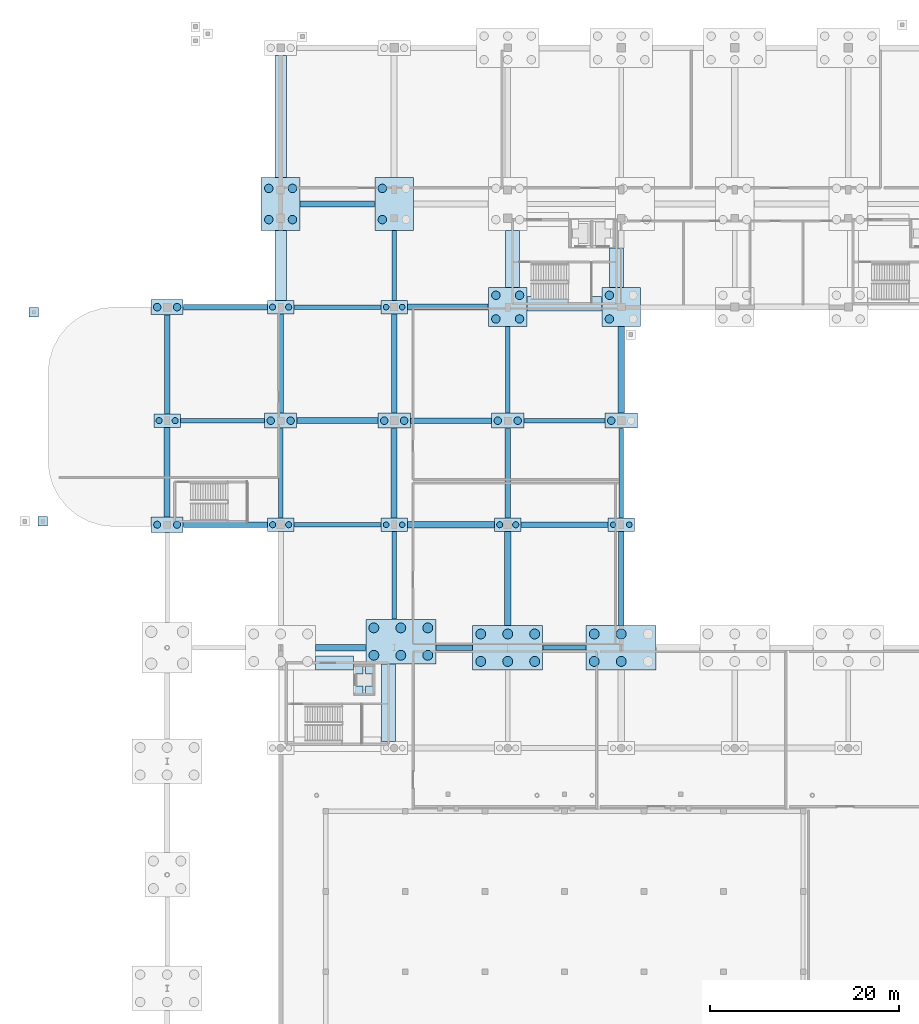
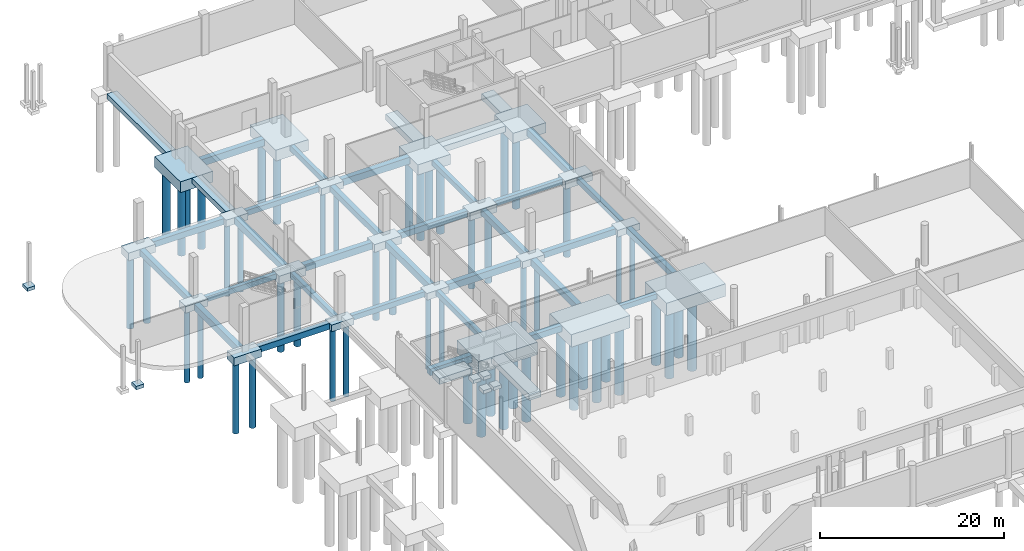
# One storey, part 3 of 42: 62 footings, 53 piles.
"""IFC4 building model written with IfcOpenShell, lengths in metres."""

from ifc_helpers import new_model, si_unit, direction, frame, origin, origin_2d, place, context, subcontext, project, spatial, rectangle, circle, extrude, material, material_profile, profile_set, type_object, element, save


model = new_model("IFC4")

# Units and contexts
model_context = context("Model", 3, precision=1e-05, world=origin(), true_north=direction((0.0, 1.0)))
body_context = subcontext(model_context, "Body", "Model", "MODEL_VIEW")
ifc_project = project(units=[si_unit("LENGTHUNIT", "METRE"), si_unit("AREAUNIT", "SQUARE_METRE"), si_unit("VOLUMEUNIT", "CUBIC_METRE"), si_unit("PLANEANGLEUNIT", "RADIAN"), si_unit("MASSUNIT", "GRAM", prefix="KILO"), si_unit("THERMODYNAMICTEMPERATUREUNIT", "KELVIN"), si_unit("POWERUNIT", "WATT")], contexts=[model_context])

# Site, building, storey
site_placement = place(None, origin())
site = spatial("IfcSite", under=ifc_project, at=site_placement, CompositionType="ELEMENT")
building_placement = place(site_placement, origin())
building = spatial("IfcBuilding", under=site, at=building_placement, Name="Solmara Park Aquatics Centre", CompositionType="ELEMENT")
storey_placement = place(building_placement, frame((0.0, 0.0, -5.39990234375)))
storey = spatial("IfcBuildingStorey", under=building, at=storey_placement, Name="B1", CompositionType="ELEMENT", Elevation=-5.39990234375)

# Footings
ifc_material = material(Name="Watertight Concrete C45/55", Category="concrete")
footing_type_1 = type_object("IfcFootingType", Name="STR-FB-500x700", PredefinedType="FOOTING_BEAM", material=ifc_material)
footing_1_placement = place(storey_placement, frame((54.60009765625, 72.60009765625, -1.25), z_axis=(0.0, 0.0, 1.0), x_axis=(1.0, 0.0, 0.0)))
element("IfcFooting", 1, at=footing_1_placement, inside=storey, type_object=footing_type_1, Name="Ground Tie Beam FB-062", PredefinedType="FOOTING_BEAM", context=body_context, shape_type="SweptSolid", body=[
    extrude(rectangle(XDim=4.580078125, YDim=0.5, at=origin_2d()), origin(), (0.0, 0.0, 1.0), 0.699951171875),
])
footing_2_placement = place(storey_placement, frame((30.60009765625, 85.60009765625, -1.25), z_axis=(0.0, 0.0, 1.0), x_axis=(1.0, 0.0, 0.0)))
element("IfcFooting", 2, at=footing_2_placement, inside=storey, type_object=footing_type_1, Name="Ground Tie Beam FB-071", PredefinedType="FOOTING_BEAM", context=body_context, shape_type="SweptSolid", body=[
    extrude(rectangle(XDim=9.179931640625, YDim=0.5, at=origin_2d()), origin(), (0.0, 0.0, 1.0), 0.699951171875),
])
footing_3_placement = place(storey_placement, frame((18.449951171875, 96.60009765625, -1.25), z_axis=(0.0, 0.0, 1.0), x_axis=(1.0, 0.0, 0.0)))
element("IfcFooting", 3, at=footing_3_placement, inside=storey, type_object=footing_type_1, Name="Ground Tie Beam FB-074", PredefinedType="FOOTING_BEAM", context=body_context, shape_type="SweptSolid", body=[
    extrude(rectangle(XDim=8.8798828125, YDim=0.5, at=origin_2d()), origin(), (0.0, 0.0, 1.0), 0.699951171875),
])
footing_4_placement = place(storey_placement, frame((54.60009765625, 96.60009765625, -1.25), z_axis=(0.0, 0.0, 1.0), x_axis=(1.0, 0.0, 0.0)))
element("IfcFooting", 4, at=footing_4_placement, inside=storey, type_object=footing_type_1, Name="Ground Tie Beam FB-077", PredefinedType="FOOTING_BEAM", context=body_context, shape_type="SweptSolid", body=[
    extrude(rectangle(XDim=8.580078125, YDim=0.5, at=origin_2d()), origin(), (0.0, 0.0, 1.0), 0.699951171875),
])
footing_5_placement = place(storey_placement, frame((30.60009765625, 108.60009765625, -1.25), z_axis=(0.0, 0.0, 1.0), x_axis=(1.0, 0.0, 0.0)))
element("IfcFooting", 5, at=footing_5_placement, inside=storey, type_object=footing_type_1, Name="Ground Tie Beam FB-080", PredefinedType="FOOTING_BEAM", context=body_context, shape_type="SweptSolid", body=[
    extrude(rectangle(XDim=9.179931640625, YDim=0.5, at=origin_2d()), origin(), (0.0, 0.0, 1.0), 0.699951171875),
])
footing_6_placement = place(storey_placement, frame((24.60009765625, 91.050048828125, -1.25), z_axis=(0.0, 0.0, 1.0), x_axis=(1.0, 0.0, 0.0)))
element("IfcFooting", 6, at=footing_6_placement, inside=storey, type_object=footing_type_1, Name="Ground Tie Beam FB-122", PredefinedType="FOOTING_BEAM", context=body_context, shape_type="SweptSolid", body=[
    extrude(rectangle(XDim=0.5, YDim=9.47998046875, at=origin_2d()), origin(), (0.0, 0.0, 1.0), 0.699951171875),
])
footing_7_placement = place(storey_placement, frame((36.60009765625, 80.25, -1.25), z_axis=(0.0, 0.0, 1.0), x_axis=(1.0, 0.0, 0.0)))
element("IfcFooting", 7, at=footing_7_placement, inside=storey, type_object=footing_type_1, Name="Ground Tie Beam FB-125", PredefinedType="FOOTING_BEAM", context=body_context, shape_type="SweptSolid", body=[
    extrude(rectangle(XDim=0.5, YDim=9.280029296875, at=origin_2d()), origin(), (0.0, 0.0, 1.0), 0.699951171875),
])
footing_8_placement = place(storey_placement, frame((36.60009765625, 113.0, -1.25), z_axis=(0.0, 0.0, 1.0), x_axis=(1.0, 0.0, 0.0)))
element("IfcFooting", 8, at=footing_8_placement, inside=storey, type_object=footing_type_1, Name="Ground Tie Beam FB-128", PredefinedType="FOOTING_BEAM", context=body_context, shape_type="SweptSolid", body=[
    extrude(rectangle(XDim=0.5, YDim=7.3798828125, at=origin_2d()), origin(), (0.0, 0.0, 1.0), 0.699951171875),
])
footing_9_placement = place(storey_placement, frame((48.60009765625, 101.97509765625, -1.25), z_axis=(0.0, 0.0, 1.0), x_axis=(1.0, 0.0, 0.0)))
element("IfcFooting", 9, at=footing_9_placement, inside=storey, type_object=footing_type_1, Name="Ground Tie Beam FB-134", PredefinedType="FOOTING_BEAM", context=body_context, shape_type="SweptSolid", body=[
    extrude(rectangle(XDim=0.5, YDim=9.1298828125, at=origin_2d()), origin(), (0.0, 0.0, 1.0), 0.699951171875),
])
footing_10_placement = place(storey_placement, frame((60.60009765625, 91.050048828125, -1.25), z_axis=(0.0, 0.0, 1.0), x_axis=(1.0, 0.0, 0.0)))
element("IfcFooting", 10, at=footing_10_placement, inside=storey, type_object=footing_type_1, Name="Ground Tie Beam FB-139", PredefinedType="FOOTING_BEAM", context=body_context, shape_type="SweptSolid", body=[
    extrude(rectangle(XDim=0.5, YDim=9.47998046875, at=origin_2d()), origin(), (0.0, 0.0, 1.0), 0.699951171875),
])
footing_type_2 = type_object("IfcFootingType", Name="STR-FB-600x800", PredefinedType="FOOTING_BEAM", material=ifc_material)
footing_11_placement = place(storey_placement, frame((42.949951171875, 72.60009765625, -1.35009765625), z_axis=(0.0, 0.0, 1.0), x_axis=(1.0, 0.0, 0.0)))
element("IfcFooting", 11, at=footing_11_placement, inside=storey, type_object=footing_type_2, Name="Ground Tie Beam FB-061", PredefinedType="FOOTING_BEAM", context=body_context, shape_type="SweptSolid", body=[
    extrude(rectangle(XDim=3.8798828125, YDim=0.60009765625, at=origin_2d()), origin(), (0.0, 0.0, 1.0), 0.800048828125),
])
footing_12_placement = place(storey_placement, frame((18.75, 85.60009765625, -1.35009765625), z_axis=(0.0, 0.0, 1.0), x_axis=(1.0, 0.0, 0.0)))
element("IfcFooting", 12, at=footing_12_placement, inside=storey, type_object=footing_type_2, Name="Ground Tie Beam FB-070", PredefinedType="FOOTING_BEAM", context=body_context, shape_type="SweptSolid", body=[
    extrude(rectangle(XDim=8.8798828125, YDim=0.60009765625, at=origin_2d()), origin(), (0.0, 0.0, 1.0), 0.800048828125),
])
footing_13_placement = place(storey_placement, frame((54.60009765625, 85.60009765625, -1.35009765625), z_axis=(0.0, 0.0, 1.0), x_axis=(1.0, 0.0, 0.0)))
element("IfcFooting", 13, at=footing_13_placement, inside=storey, type_object=footing_type_2, Name="Ground Tie Beam FB-073", PredefinedType="FOOTING_BEAM", context=body_context, shape_type="SweptSolid", body=[
    extrude(rectangle(XDim=9.179931640625, YDim=0.60009765625, at=origin_2d()), origin(), (0.0, 0.0, 1.0), 0.800048828125),
])
footing_14_placement = place(storey_placement, frame((42.60009765625, 96.60009765625, -1.35009765625), z_axis=(0.0, 0.0, 1.0), x_axis=(1.0, 0.0, 0.0)))
element("IfcFooting", 14, at=footing_14_placement, inside=storey, type_object=footing_type_2, Name="Ground Tie Beam FB-076", PredefinedType="FOOTING_BEAM", context=body_context, shape_type="SweptSolid", body=[
    extrude(rectangle(XDim=8.580078125, YDim=0.60009765625, at=origin_2d()), origin(), (0.0, 0.0, 1.0), 0.800048828125),
])
footing_15_placement = place(storey_placement, frame((18.75, 108.60009765625, -1.35009765625), z_axis=(0.0, 0.0, 1.0), x_axis=(1.0, 0.0, 0.0)))
element("IfcFooting", 15, at=footing_15_placement, inside=storey, type_object=footing_type_2, Name="Ground Tie Beam FB-079", PredefinedType="FOOTING_BEAM", context=body_context, shape_type="SweptSolid", body=[
    extrude(rectangle(XDim=8.8798828125, YDim=0.60009765625, at=origin_2d()), origin(), (0.0, 0.0, 1.0), 0.800048828125),
])
for number, where, z_axis, x_axis, name in (
    (16, (12.60009765625, 102.550048828125, -1.35009765625), (0.0, 0.0, 1.0), (1.0, 0.0, 0.0), "Ground Tie Beam FB-119"),
    (17, (36.60009765625, 102.64990234375, -1.35009765625), (0.0, 0.0, 1.0), (1.0, 0.0, 0.0), "Ground Tie Beam FB-127"),
):
    element("IfcFooting", number, at=place(storey_placement, frame(where, z_axis=z_axis, x_axis=x_axis)), inside=storey, type_object=footing_type_2, Name=name, PredefinedType="FOOTING_BEAM", context=body_context, shape_type="SweptSolid", body=[
        extrude(rectangle(XDim=0.60009765625, YDim=10.47998046875, at=origin_2d()), origin(), (0.0, 0.0, 1.0), 0.800048828125),
    ])
footing_16_placement = place(storey_placement, frame((48.60009765625, 91.050048828125, -1.35009765625), z_axis=(0.0, 0.0, 1.0), x_axis=(1.0, 0.0, 0.0)))
element("IfcFooting", 18, at=footing_16_placement, inside=storey, type_object=footing_type_2, Name="Ground Tie Beam FB-133", PredefinedType="FOOTING_BEAM", context=body_context, shape_type="SweptSolid", body=[
    extrude(rectangle(XDim=0.60009765625, YDim=9.47998046875, at=origin_2d()), origin(), (0.0, 0.0, 1.0), 0.800048828125),
])
footing_17_placement = place(storey_placement, frame((60.60009765625, 79.925048828125, -1.35009765625), z_axis=(0.0, 0.0, 1.0), x_axis=(1.0, 0.0, 0.0)))
element("IfcFooting", 19, at=footing_17_placement, inside=storey, type_object=footing_type_2, Name="Ground Tie Beam FB-138", PredefinedType="FOOTING_BEAM", context=body_context, shape_type="SweptSolid", body=[
    extrude(rectangle(XDim=0.60009765625, YDim=9.929931640625, at=origin_2d()), origin(), (0.0, 0.0, 1.0), 0.800048828125),
])
footing_type_3 = type_object("IfcFootingType", Name="STR-FB-650x900", PredefinedType="FOOTING_BEAM", material=ifc_material)
footing_18_placement = place(storey_placement, frame((30.949951171875, 72.60009765625, -1.449951171875), z_axis=(0.0, 0.0, 1.0), x_axis=(1.0, 0.0, 0.0)))
element("IfcFooting", 20, at=footing_18_placement, inside=storey, type_object=footing_type_3, Name="Ground Tie Beam FB-060", PredefinedType="FOOTING_BEAM", context=body_context, shape_type="SweptSolid", body=[
    extrude(rectangle(XDim=5.280029296875, YDim=0.64990234375, at=origin_2d()), origin(), (0.0, 0.0, 1.0), 0.89990234375),
])
footing_19_placement = place(storey_placement, frame((42.60009765625, 85.60009765625, -1.449951171875), z_axis=(0.0, 0.0, 1.0), x_axis=(1.0, 0.0, 0.0)))
element("IfcFooting", 21, at=footing_19_placement, inside=storey, type_object=footing_type_3, Name="Ground Tie Beam FB-072", PredefinedType="FOOTING_BEAM", context=body_context, shape_type="SweptSolid", body=[
    extrude(rectangle(XDim=9.179931640625, YDim=0.64990234375, at=origin_2d()), origin(), (0.0, 0.0, 1.0), 0.89990234375),
])
footing_20_placement = place(storey_placement, frame((30.60009765625, 96.60009765625, -1.449951171875), z_axis=(0.0, 0.0, 1.0), x_axis=(1.0, 0.0, 0.0)))
element("IfcFooting", 22, at=footing_20_placement, inside=storey, type_object=footing_type_3, Name="Ground Tie Beam FB-075", PredefinedType="FOOTING_BEAM", context=body_context, shape_type="SweptSolid", body=[
    extrude(rectangle(XDim=8.580078125, YDim=0.64990234375, at=origin_2d()), origin(), (0.0, 0.0, 1.0), 0.89990234375),
])
footing_21_placement = place(storey_placement, frame((42.27490234375, 108.60009765625, -1.449951171875), z_axis=(0.0, 0.0, 1.0), x_axis=(1.0, 0.0, 0.0)))
element("IfcFooting", 23, at=footing_21_placement, inside=storey, type_object=footing_type_3, Name="Ground Tie Beam FB-081", PredefinedType="FOOTING_BEAM", context=body_context, shape_type="SweptSolid", body=[
    extrude(rectangle(XDim=8.530029296875, YDim=0.64990234375, at=origin_2d()), origin(), (0.0, 0.0, 1.0), 0.89990234375),
])
footing_22_placement = place(storey_placement, frame((30.60009765625, 119.5, -1.449951171875), z_axis=(0.0, 0.0, 1.0), x_axis=(1.0, 0.0, 0.0)))
element("IfcFooting", 24, at=footing_22_placement, inside=storey, type_object=footing_type_3, Name="Ground Tie Beam FB-094", PredefinedType="FOOTING_BEAM", context=body_context, shape_type="SweptSolid", body=[
    extrude(rectangle(XDim=7.8798828125, YDim=0.64990234375, at=origin_2d()), origin(), (0.0, 0.0, 1.0), 0.89990234375),
])
footing_23_placement = place(storey_placement, frame((12.60009765625, 91.14990234375, -1.449951171875), z_axis=(0.0, 0.0, 1.0), x_axis=(1.0, 0.0, 0.0)))
element("IfcFooting", 25, at=footing_23_placement, inside=storey, type_object=footing_type_3, Name="Ground Tie Beam FB-118", PredefinedType="FOOTING_BEAM", context=body_context, shape_type="SweptSolid", body=[
    extrude(rectangle(XDim=0.64990234375, YDim=9.47998046875, at=origin_2d()), origin(), (0.0, 0.0, 1.0), 0.89990234375),
])
footing_24_placement = place(storey_placement, frame((24.60009765625, 102.64990234375, -1.449951171875), z_axis=(0.0, 0.0, 1.0), x_axis=(1.0, 0.0, 0.0)))
element("IfcFooting", 26, at=footing_24_placement, inside=storey, type_object=footing_type_3, Name="Ground Tie Beam FB-123", PredefinedType="FOOTING_BEAM", context=body_context, shape_type="SweptSolid", body=[
    extrude(rectangle(XDim=0.64990234375, YDim=10.47998046875, at=origin_2d()), origin(), (0.0, 0.0, 1.0), 0.89990234375),
])
footing_25_placement = place(storey_placement, frame((36.60009765625, 91.050048828125, -1.449951171875), z_axis=(0.0, 0.0, 1.0), x_axis=(1.0, 0.0, 0.0)))
element("IfcFooting", 27, at=footing_25_placement, inside=storey, type_object=footing_type_3, Name="Ground Tie Beam FB-126", PredefinedType="FOOTING_BEAM", context=body_context, shape_type="SweptSolid", body=[
    extrude(rectangle(XDim=0.64990234375, YDim=9.47998046875, at=origin_2d()), origin(), (0.0, 0.0, 1.0), 0.89990234375),
])
footing_26_placement = place(storey_placement, frame((48.60009765625, 79.925048828125, -1.449951171875), z_axis=(0.0, 0.0, 1.0), x_axis=(1.0, 0.0, 0.0)))
element("IfcFooting", 28, at=footing_26_placement, inside=storey, type_object=footing_type_3, Name="Ground Tie Beam FB-132", PredefinedType="FOOTING_BEAM", context=body_context, shape_type="SweptSolid", body=[
    extrude(rectangle(XDim=0.64990234375, YDim=9.929931640625, at=origin_2d()), origin(), (0.0, 0.0, 1.0), 0.89990234375),
])
footing_27_placement = place(storey_placement, frame((60.60009765625, 101.97509765625, -1.449951171875), z_axis=(0.0, 0.0, 1.0), x_axis=(1.0, 0.0, 0.0)))
element("IfcFooting", 29, at=footing_27_placement, inside=storey, type_object=footing_type_3, Name="Ground Tie Beam FB-140", PredefinedType="FOOTING_BEAM", context=body_context, shape_type="SweptSolid", body=[
    extrude(rectangle(XDim=0.64990234375, YDim=9.1298828125, at=origin_2d()), origin(), (0.0, 0.0, 1.0), 0.89990234375),
])
footing_type_4 = type_object("IfcFootingType", Name="STR-PC-2P600", PredefinedType="PILE_CAP", material=ifc_material)
for number, where, z_axis, x_axis, name in (
    (30, (12.60009765625, 96.60009765625, -1.449951171875), (0.0, 0.0, 1.0), (1.0, 0.0, 0.0), "Pile Cap PC-008"),
    (31, (24.60009765625, 85.60009765625, -1.449951171875), (0.0, 0.0, 1.0), (1.0, 0.0, 0.0), "Pile Cap PC-014"),
    (32, (24.60009765625, 108.60009765625, -1.449951171875), (0.0, 0.0, 1.0), (1.0, 0.0, 0.0), "Pile Cap PC-016"),
    (33, (36.60009765625, 85.60009765625, -1.449951171875), (0.0, 0.0, 1.0), (1.0, 0.0, 0.0), "Pile Cap PC-023"),
    (34, (36.60009765625, 108.60009765625, -1.449951171875), (0.0, 0.0, 1.0), (1.0, 0.0, 0.0), "Pile Cap PC-025"),
    (35, (48.60009765625, 85.60009765625, -1.449951171875), (0.0, 0.0, 1.0), (1.0, 0.0, 0.0), "Pile Cap PC-032"),
    (36, (60.60009765625, 85.60009765625, -1.449951171875), (0.0, 0.0, 1.0), (1.0, 0.0, 0.0), "Pile Cap PC-041"),
):
    element("IfcFooting", number, at=place(storey_placement, frame(where, z_axis=z_axis, x_axis=x_axis)), inside=storey, type_object=footing_type_4, Name=name, PredefinedType="PILE_CAP", context=body_context, shape_type="SweptSolid", body=[
        extrude(rectangle(XDim=2.800048828125, YDim=1.39990234375, at=origin_2d()), origin(), (0.0, 0.0, 1.0), 0.89990234375),
    ])
footing_type_5 = type_object("IfcFootingType", Name="STR-PC-2P750", PredefinedType="PILE_CAP", material=ifc_material)
for number, where, z_axis, x_axis, name in (
    (37, (12.60009765625, 85.60009765625, -1.60009765625), (0.0, 0.0, 1.0), (1.0, 0.0, 0.0), "Pile Cap PC-007"),
    (38, (12.60009765625, 108.60009765625, -1.60009765625), (0.0, 0.0, 1.0), (1.0, 0.0, 0.0), "Pile Cap PC-009"),
    (39, (24.60009765625, 96.60009765625, -1.60009765625), (0.0, 0.0, 1.0), (1.0, 0.0, 0.0), "Pile Cap PC-015"),
    (40, (36.60009765625, 96.60009765625, -1.60009765625), (0.0, 0.0, 1.0), (1.0, 0.0, 0.0), "Pile Cap PC-024"),
    (41, (48.60009765625, 96.60009765625, -1.60009765625), (0.0, 0.0, 1.0), (1.0, 0.0, 0.0), "Pile Cap PC-033"),
    (42, (60.60009765625, 96.60009765625, -1.60009765625), (0.0, 0.0, 1.0), (1.0, 0.0, 0.0), "Pile Cap PC-042"),
):
    element("IfcFooting", number, at=place(storey_placement, frame(where, z_axis=z_axis, x_axis=x_axis)), inside=storey, type_object=footing_type_5, Name=name, PredefinedType="PILE_CAP", context=body_context, shape_type="SweptSolid", body=[
        extrude(rectangle(XDim=3.39990234375, YDim=1.60009765625, at=origin_2d()), origin(), (0.0, 0.0, 1.0), 1.050048828125),
    ])
footing_type_6 = type_object("IfcFootingType", Name="STR-PC-4P900", PredefinedType="PILE_CAP", material=ifc_material)
for number, where, z_axis, x_axis, name in (
    (43, (48.60009765625, 108.60009765625, -1.900146484375), (0.0, 0.0, 1.0), (1.0, 0.0, 0.0), "Pile Cap PC-034"),
    (44, (60.60009765625, 108.60009765625, -1.900146484375), (0.0, 0.0, 1.0), (1.0, 0.0, 0.0), "Pile Cap PC-043"),
):
    element("IfcFooting", number, at=place(storey_placement, frame(where, z_axis=z_axis, x_axis=x_axis)), inside=storey, type_object=footing_type_6, Name=name, PredefinedType="PILE_CAP", context=body_context, shape_type="SweptSolid", body=[
        extrude(rectangle(XDim=4.10009765625, YDim=4.10009765625, at=origin_2d()), origin(), (0.0, 0.0, 1.0), 1.35009765625),
    ])
footing_type_7 = type_object("IfcFootingType", Name="STR-PC-6P1050", PredefinedType="PILE_CAP", material=ifc_material)
for number, where, z_axis, x_axis, name in (
    (45, (37.300048828125, 73.25, -2.199951171875), (0.0, 0.0, 1.0), (1.0, 0.0, 0.0), "Pile Cap PC-022"),
    (46, (48.60009765625, 72.60009765625, -2.199951171875), (0.0, 0.0, 1.0), (1.0, 0.0, 0.0), "Pile Cap PC-031"),
    (47, (60.60009765625, 72.60009765625, -2.199951171875), (0.0, 0.0, 1.0), (1.0, 0.0, 0.0), "Pile Cap PC-040"),
):
    element("IfcFooting", number, at=place(storey_placement, frame(where, z_axis=z_axis, x_axis=x_axis)), inside=storey, type_object=footing_type_7, Name=name, PredefinedType="PILE_CAP", context=body_context, shape_type="SweptSolid", body=[
        extrude(rectangle(XDim=7.39990234375, YDim=4.699951171875, at=origin_2d()), origin(), (0.0, 0.0, 1.0), 1.64990234375),
    ])
footing_type_8 = type_object("IfcFootingType", Name="STR-PC-COR900", PredefinedType="PILE_CAP", material=ifc_material)
for number, where, z_axis, x_axis, name in (
    (48, (24.60009765625, 119.5, -2.0), (0.0, 0.0, 1.0), (1.0, 0.0, 0.0), "Combined Corridor Pile Cap PC-017"),
    (49, (36.60009765625, 119.5, -2.0), (0.0, 0.0, 1.0), (1.0, 0.0, 0.0), "Combined Corridor Pile Cap PC-026"),
):
    element("IfcFooting", number, at=place(storey_placement, frame(where, z_axis=z_axis, x_axis=x_axis)), inside=storey, type_object=footing_type_8, Name=name, PredefinedType="PILE_CAP", context=body_context, shape_type="SweptSolid", body=[
        extrude(rectangle(XDim=4.10009765625, YDim=5.60009765625, at=origin_2d()), origin(), (0.0, 0.0, 1.0), 1.449951171875),
    ])
footing_type_9 = type_object("IfcFootingType", Name="STR-PF-1000", PredefinedType="PAD_FOOTING", material=ifc_material)
for number, where, z_axis, x_axis, name in (
    (50, (32.820068359375, 68.080078125, -2.39990234375), (0.0, 0.0, 1.0), (1.0, 0.0, 0.0), "Lift Pit LF-06 Bearing Pad 1"),
    (51, (34.080078125, 68.080078125, -2.39990234375), (0.0, 0.0, 1.0), (1.0, 0.0, 0.0), "Lift Pit LF-06 Bearing Pad 2"),
    (52, (32.820068359375, 70.320068359375, -2.39990234375), (0.0, 0.0, 1.0), (1.0, 0.0, 0.0), "Lift Pit LF-06 Bearing Pad 3"),
    (53, (34.080078125, 70.320068359375, -2.39990234375), (0.0, 0.0, 1.0), (1.0, 0.0, 0.0), "Lift Pit LF-06 Bearing Pad 4"),
    (54, (-0.550048828125, 85.949951171875, -1.0), (0.0, 0.0, 1.0), (1.0, 0.0, 0.0), "Apron Foundation Pier SLB-L00-APR-W-2 Footing"),
    (55, (-1.5, 108.050048828125, -1.0), (0.0, 0.0, 1.0), (1.0, 0.0, 0.0), "Apron Foundation Pier SLB-L00-APR-W-3 Footing"),
):
    element("IfcFooting", number, at=place(storey_placement, frame(where, z_axis=z_axis, x_axis=x_axis)), inside=storey, type_object=footing_type_9, Name=name, PredefinedType="PAD_FOOTING", context=body_context, shape_type="SweptSolid", body=[
        extrude(rectangle(XDim=1.0, YDim=1.0, at=origin_2d()), origin(), (0.0, 0.0, 1.0), 0.449951171875),
    ])

# Piles
ifc_material_profile_1 = material_profile(ifc_material, circle(Radius=0.52490234375, at=origin_2d()), Name="BORED PILE D1050")
ifc_profile_set_1 = profile_set([ifc_material_profile_1], Name="Watertight Concrete C45/55")
pile_type_1 = type_object("IfcPileType", Name="STR-PILE-D1050", PredefinedType="BORED", material=ifc_profile_set_1)
for number, where, z_axis, x_axis, name in (
    (56, (34.449951171875, 71.800048828125, -2.10009765625), (0.0, 0.0, -1.0), (1.0, 0.0, 0.0), "Bored Pile PL-0069"),
    (57, (37.300048828125, 71.800048828125, -2.10009765625), (0.0, 0.0, -1.0), (1.0, 0.0, 0.0), "Bored Pile PL-0070"),
    (58, (40.14990234375, 71.800048828125, -2.10009765625), (0.0, 0.0, -1.0), (1.0, 0.0, 0.0), "Bored Pile PL-0071"),
    (59, (34.449951171875, 74.699951171875, -2.10009765625), (0.0, 0.0, -1.0), (1.0, 0.0, 0.0), "Bored Pile PL-0072"),
    (60, (37.300048828125, 74.699951171875, -2.10009765625), (0.0, 0.0, -1.0), (1.0, 0.0, 0.0), "Bored Pile PL-0073"),
    (61, (40.14990234375, 74.699951171875, -2.10009765625), (0.0, 0.0, -1.0), (1.0, 0.0, 0.0), "Bored Pile PL-0074"),
    (62, (45.75, 71.14990234375, -2.10009765625), (0.0, 0.0, -1.0), (1.0, 0.0, 0.0), "Bored Pile PL-0095"),
    (63, (48.60009765625, 71.14990234375, -2.10009765625), (0.0, 0.0, -1.0), (1.0, 0.0, 0.0), "Bored Pile PL-0096"),
    (64, (51.449951171875, 71.14990234375, -2.10009765625), (0.0, 0.0, -1.0), (1.0, 0.0, 0.0), "Bored Pile PL-0097"),
    (65, (45.75, 74.050048828125, -2.10009765625), (0.0, 0.0, -1.0), (1.0, 0.0, 0.0), "Bored Pile PL-0098"),
    (66, (48.60009765625, 74.050048828125, -2.10009765625), (0.0, 0.0, -1.0), (1.0, 0.0, 0.0), "Bored Pile PL-0099"),
    (67, (51.449951171875, 74.050048828125, -2.10009765625), (0.0, 0.0, -1.0), (1.0, 0.0, 0.0), "Bored Pile PL-0100"),
    (68, (57.75, 71.14990234375, -2.10009765625), (0.0, 0.0, -1.0), (1.0, 0.0, 0.0), "Bored Pile PL-0127"),
    (69, (60.60009765625, 71.14990234375, -2.10009765625), (0.0, 0.0, -1.0), (1.0, 0.0, 0.0), "Bored Pile PL-0128"),
    (70, (57.75, 74.050048828125, -2.10009765625), (0.0, 0.0, -1.0), (1.0, 0.0, 0.0), "Bored Pile PL-0130"),
    (71, (60.60009765625, 74.050048828125, -2.10009765625), (0.0, 0.0, -1.0), (1.0, 0.0, 0.0), "Bored Pile PL-0131"),
):
    element("IfcPile", number, at=place(storey_placement, frame(where, z_axis=z_axis, x_axis=x_axis)), inside=storey, type_object=pile_type_1, Name=name, PredefinedType="BORED", context=body_context, shape_type="SweptSolid", body=[
        extrude(circle(Radius=0.52490234375, at=origin_2d()), origin(), (0.0, 0.0, 1.0), 9.0),
    ])
ifc_material_profile_2 = material_profile(ifc_material, circle(Radius=0.300048828125, at=origin_2d()), Name="BORED PILE D600")
ifc_profile_set_2 = profile_set([ifc_material_profile_2], Name="Watertight Concrete C45/55")
pile_type_2 = type_object("IfcPileType", Name="STR-PILE-D600", PredefinedType="BORED", material=ifc_profile_set_2)
for number, where, z_axis, x_axis, name in (
    (72, (35.75, 85.60009765625, -1.35009765625), (0.0, 0.0, -1.0), (1.0, 0.0, 0.0), "Bored Pile PL-0075"),
    (73, (37.449951171875, 85.60009765625, -1.35009765625), (0.0, 0.0, -1.0), (1.0, 0.0, 0.0), "Bored Pile PL-0076"),
    (74, (35.75, 108.60009765625, -1.35009765625), (0.0, 0.0, -1.0), (1.0, 0.0, 0.0), "Bored Pile PL-0079"),
    (75, (37.449951171875, 108.60009765625, -1.35009765625), (0.0, 0.0, -1.0), (1.0, 0.0, 0.0), "Bored Pile PL-0080"),
    (76, (59.75, 85.60009765625, -1.35009765625), (0.0, 0.0, -1.0), (1.0, 0.0, 0.0), "Bored Pile PL-0133"),
    (77, (61.449951171875, 85.60009765625, -1.35009765625), (0.0, 0.0, -1.0), (1.0, 0.0, 0.0), "Bored Pile PL-0134"),
):
    element("IfcPile", number, at=place(storey_placement, frame(where, z_axis=z_axis, x_axis=x_axis)), inside=storey, type_object=pile_type_2, Name=name, PredefinedType="BORED", context=body_context, shape_type="SweptSolid", body=[
        extrude(circle(Radius=0.300048828125, at=origin_2d()), origin(), (0.0, 0.0, 1.0), 9.75),
    ])
ifc_material_profile_3 = material_profile(ifc_material, circle(Radius=0.324951171875, at=origin_2d()), Name="BORED PILE D650")
ifc_profile_set_3 = profile_set([ifc_material_profile_3], Name="Watertight Concrete C45/55")
pile_type_3 = type_object("IfcPileType", Name="STR-PILE-D650", PredefinedType="BORED", material=ifc_profile_set_3)
for number, where, z_axis, x_axis, name in (
    (78, (11.75, 96.60009765625, -1.35009765625), (0.0, 0.0, -1.0), (1.0, 0.0, 0.0), "Bored Pile PL-0031"),
    (79, (13.449951171875, 96.60009765625, -1.35009765625), (0.0, 0.0, -1.0), (1.0, 0.0, 0.0), "Bored Pile PL-0032"),
    (80, (23.75, 85.60009765625, -1.35009765625), (0.0, 0.0, -1.0), (1.0, 0.0, 0.0), "Bored Pile PL-0049"),
    (81, (25.449951171875, 85.60009765625, -1.35009765625), (0.0, 0.0, -1.0), (1.0, 0.0, 0.0), "Bored Pile PL-0050"),
    (82, (23.75, 108.60009765625, -1.35009765625), (0.0, 0.0, -1.0), (1.0, 0.0, 0.0), "Bored Pile PL-0053"),
    (83, (25.449951171875, 108.60009765625, -1.35009765625), (0.0, 0.0, -1.0), (1.0, 0.0, 0.0), "Bored Pile PL-0054"),
    (84, (47.75, 85.60009765625, -1.35009765625), (0.0, 0.0, -1.0), (1.0, 0.0, 0.0), "Bored Pile PL-0101"),
    (85, (49.449951171875, 85.60009765625, -1.35009765625), (0.0, 0.0, -1.0), (1.0, 0.0, 0.0), "Bored Pile PL-0102"),
):
    element("IfcPile", number, at=place(storey_placement, frame(where, z_axis=z_axis, x_axis=x_axis)), inside=storey, type_object=pile_type_3, Name=name, PredefinedType="BORED", context=body_context, shape_type="SweptSolid", body=[
        extrude(circle(Radius=0.324951171875, at=origin_2d()), origin(), (0.0, 0.0, 1.0), 9.75),
    ])
ifc_material_profile_4 = material_profile(ifc_material, circle(Radius=0.375, at=origin_2d()), Name="BORED PILE D750")
ifc_profile_set_4 = profile_set([ifc_material_profile_4], Name="Watertight Concrete C45/55")
pile_type_4 = type_object("IfcPileType", Name="STR-PILE-D750", PredefinedType="BORED", material=ifc_profile_set_4)
for number, where, z_axis, x_axis, name in (
    (86, (11.550048828125, 85.60009765625, -1.5), (0.0, 0.0, -1.0), (1.0, 0.0, 0.0), "Bored Pile PL-0029"),
    (87, (13.64990234375, 85.60009765625, -1.5), (0.0, 0.0, -1.0), (1.0, 0.0, 0.0), "Bored Pile PL-0030"),
):
    element("IfcPile", number, at=place(storey_placement, frame(where, z_axis=z_axis, x_axis=x_axis)), inside=storey, type_object=pile_type_4, Name=name, PredefinedType="BORED", context=body_context, shape_type="SweptSolid", body=[
        extrude(circle(Radius=0.375, at=origin_2d()), origin(), (0.0, 0.0, 1.0), 9.60009765625),
    ])
ifc_material_profile_5 = material_profile(ifc_material, circle(Radius=0.39990234375, at=origin_2d()), Name="BORED PILE D800")
ifc_profile_set_5 = profile_set([ifc_material_profile_5], Name="Watertight Concrete C45/55")
pile_type_5 = type_object("IfcPileType", Name="STR-PILE-D800", PredefinedType="BORED", material=ifc_profile_set_5)
for number, where, z_axis, x_axis, name in (
    (88, (11.550048828125, 108.60009765625, -1.5), (0.0, 0.0, -1.0), (1.0, 0.0, 0.0), "Bored Pile PL-0033"),
    (89, (13.64990234375, 108.60009765625, -1.5), (0.0, 0.0, -1.0), (1.0, 0.0, 0.0), "Bored Pile PL-0034"),
    (90, (23.550048828125, 96.60009765625, -1.5), (0.0, 0.0, -1.0), (1.0, 0.0, 0.0), "Bored Pile PL-0051"),
    (91, (25.64990234375, 96.60009765625, -1.5), (0.0, 0.0, -1.0), (1.0, 0.0, 0.0), "Bored Pile PL-0052"),
    (92, (35.550048828125, 96.60009765625, -1.5), (0.0, 0.0, -1.0), (1.0, 0.0, 0.0), "Bored Pile PL-0077"),
    (93, (37.64990234375, 96.60009765625, -1.5), (0.0, 0.0, -1.0), (1.0, 0.0, 0.0), "Bored Pile PL-0078"),
    (94, (47.550048828125, 96.60009765625, -1.5), (0.0, 0.0, -1.0), (1.0, 0.0, 0.0), "Bored Pile PL-0103"),
    (95, (49.64990234375, 96.60009765625, -1.5), (0.0, 0.0, -1.0), (1.0, 0.0, 0.0), "Bored Pile PL-0104"),
    (96, (59.550048828125, 96.60009765625, -1.5), (0.0, 0.0, -1.0), (1.0, 0.0, 0.0), "Bored Pile PL-0135"),
):
    element("IfcPile", number, at=place(storey_placement, frame(where, z_axis=z_axis, x_axis=x_axis)), inside=storey, type_object=pile_type_5, Name=name, PredefinedType="BORED", context=body_context, shape_type="SweptSolid", body=[
        extrude(circle(Radius=0.39990234375, at=origin_2d()), origin(), (0.0, 0.0, 1.0), 9.60009765625),
    ])
ifc_material_profile_6 = material_profile(ifc_material, circle(Radius=0.449951171875, at=origin_2d()), Name="BORED PILE D900")
ifc_profile_set_6 = profile_set([ifc_material_profile_6], Name="Watertight Concrete C45/55")
pile_type_6 = type_object("IfcPileType", Name="STR-PILE-D900", PredefinedType="BORED", material=ifc_profile_set_6)
for number, where, z_axis, x_axis, name in (
    (97, (23.35009765625, 117.85009765625, -1.900146484375), (0.0, 0.0, -1.0), (1.0, 0.0, 0.0), "Bored Pile PL-0055"),
    (98, (25.85009765625, 117.85009765625, -1.900146484375), (0.0, 0.0, -1.0), (1.0, 0.0, 0.0), "Bored Pile PL-0056"),
    (99, (23.35009765625, 121.14990234375, -1.900146484375), (0.0, 0.0, -1.0), (1.0, 0.0, 0.0), "Bored Pile PL-0057"),
    (100, (25.85009765625, 121.14990234375, -1.900146484375), (0.0, 0.0, -1.0), (1.0, 0.0, 0.0), "Bored Pile PL-0058"),
    (101, (35.35009765625, 117.85009765625, -1.900146484375), (0.0, 0.0, -1.0), (1.0, 0.0, 0.0), "Bored Pile PL-0081"),
    (102, (35.35009765625, 121.14990234375, -1.900146484375), (0.0, 0.0, -1.0), (1.0, 0.0, 0.0), "Bored Pile PL-0083"),
):
    element("IfcPile", number, at=place(storey_placement, frame(where, z_axis=z_axis, x_axis=x_axis)), inside=storey, type_object=pile_type_6, Name=name, PredefinedType="BORED", context=body_context, shape_type="SweptSolid", body=[
        extrude(circle(Radius=0.449951171875, at=origin_2d()), origin(), (0.0, 0.0, 1.0), 9.199951171875),
    ])
for number, where, z_axis, x_axis, name in (
    (103, (47.35009765625, 107.35009765625, -1.800048828125), (0.0, 0.0, -1.0), (1.0, 0.0, 0.0), "Bored Pile PL-0105"),
    (104, (49.85009765625, 107.35009765625, -1.800048828125), (0.0, 0.0, -1.0), (1.0, 0.0, 0.0), "Bored Pile PL-0106"),
    (105, (47.35009765625, 109.85009765625, -1.800048828125), (0.0, 0.0, -1.0), (1.0, 0.0, 0.0), "Bored Pile PL-0107"),
    (106, (49.85009765625, 109.85009765625, -1.800048828125), (0.0, 0.0, -1.0), (1.0, 0.0, 0.0), "Bored Pile PL-0108"),
    (107, (59.35009765625, 107.35009765625, -1.800048828125), (0.0, 0.0, -1.0), (1.0, 0.0, 0.0), "Bored Pile PL-0137"),
    (108, (59.35009765625, 109.85009765625, -1.800048828125), (0.0, 0.0, -1.0), (1.0, 0.0, 0.0), "Bored Pile PL-0139"),
):
    element("IfcPile", number, at=place(storey_placement, frame(where, z_axis=z_axis, x_axis=x_axis)), inside=storey, type_object=pile_type_6, Name=name, PredefinedType="BORED", context=body_context, shape_type="SweptSolid", body=[
        extrude(circle(Radius=0.449951171875, at=origin_2d()), origin(), (0.0, 0.0, 1.0), 9.300048828125),
    ])

# Footings
footing_type_10 = type_object("IfcFootingType", Name="STR-SF-1200x700", PredefinedType="STRIP_FOOTING", material=ifc_material)
footing_28_placement = place(storey_placement, frame((24.60009765625, 113.0, -1.25), z_axis=(0.0, 0.0, 1.0), x_axis=(1.0, 0.0, 0.0)))
element("IfcFooting", 109, at=footing_28_placement, inside=storey, type_object=footing_type_10, Name="West Retaining Wall Strip Footing SF-017", PredefinedType="STRIP_FOOTING", context=body_context, shape_type="SweptSolid", body=[
    extrude(rectangle(XDim=1.199951171875, YDim=7.3798828125, at=origin_2d()), origin(), (0.0, 0.0, 1.0), 0.699951171875),
])
footing_29_placement = place(storey_placement, frame((24.60009765625, 128.75, -1.25), z_axis=(0.0, 0.0, 1.0), x_axis=(1.0, 0.0, 0.0)))
element("IfcFooting", 110, at=footing_29_placement, inside=storey, type_object=footing_type_10, Name="West Retaining Wall Strip Footing SF-018", PredefinedType="STRIP_FOOTING", context=body_context, shape_type="SweptSolid", body=[
    extrude(rectangle(XDim=1.199951171875, YDim=12.8798828125, at=origin_2d()), origin(), (0.0, 0.0, 1.0), 0.699951171875),
])
footing_type_11 = type_object("IfcFootingType", Name="STR-SF-1500x800", PredefinedType="STRIP_FOOTING", material=ifc_material)
footing_30_placement = place(storey_placement, frame((54.60009765625, 108.949951171875, -1.35009765625), z_axis=(0.0, 0.0, 1.0), x_axis=(1.0, 0.0, 0.0)))
element("IfcFooting", 111, at=footing_30_placement, inside=storey, type_object=footing_type_11, Name="Core Strip Footing SF-001", PredefinedType="STRIP_FOOTING", context=body_context, shape_type="SweptSolid", body=[
    extrude(rectangle(XDim=7.8798828125, YDim=1.5, at=origin_2d()), origin(), (0.0, 0.0, 1.0), 0.800048828125),
])
footing_31_placement = place(storey_placement, frame((49.10009765625, 113.675048828125, -1.35009765625), z_axis=(0.0, 0.0, 1.0), x_axis=(1.0, 0.0, 0.0)))
element("IfcFooting", 112, at=footing_31_placement, inside=storey, type_object=footing_type_11, Name="Core Strip Footing SF-003", PredefinedType="STRIP_FOOTING", context=body_context, shape_type="SweptSolid", body=[
    extrude(rectangle(XDim=1.5, YDim=6.030029296875, at=origin_2d()), origin(), (0.0, 0.0, 1.0), 0.800048828125),
])
footing_32_placement = place(storey_placement, frame((60.10009765625, 112.75, -1.35009765625), z_axis=(0.0, 0.0, 1.0), x_axis=(1.0, 0.0, 0.0)))
element("IfcFooting", 113, at=footing_32_placement, inside=storey, type_object=footing_type_11, Name="Core Strip Footing SF-004", PredefinedType="STRIP_FOOTING", context=body_context, shape_type="SweptSolid", body=[
    extrude(rectangle(XDim=1.5, YDim=4.179931640625, at=origin_2d()), origin(), (0.0, 0.0, 1.0), 0.800048828125),
])
footing_33_placement = place(storey_placement, frame((30.300048828125, 71.0, -1.35009765625), z_axis=(0.0, 0.0, 1.0), x_axis=(1.0, 0.0, 0.0)))
element("IfcFooting", 114, at=footing_33_placement, inside=storey, type_object=footing_type_11, Name="Core Strip Footing SF-014", PredefinedType="STRIP_FOOTING", context=body_context, shape_type="SweptSolid", body=[
    extrude(rectangle(XDim=3.97998046875, YDim=1.5, at=origin_2d()), origin(), (0.0, 0.0, 1.0), 0.800048828125),
])
footing_34_placement = place(storey_placement, frame((36.0, 66.800048828125, -1.35009765625), z_axis=(0.0, 0.0, 1.0), x_axis=(1.0, 0.0, 0.0)))
element("IfcFooting", 115, at=footing_34_placement, inside=storey, type_object=footing_type_11, Name="Core Strip Footing SF-016", PredefinedType="STRIP_FOOTING", context=body_context, shape_type="SweptSolid", body=[
    extrude(rectangle(XDim=1.5, YDim=8.179931640625, at=origin_2d()), origin(), (0.0, 0.0, 1.0), 0.800048828125),
])

save(model, "model.ifc")
